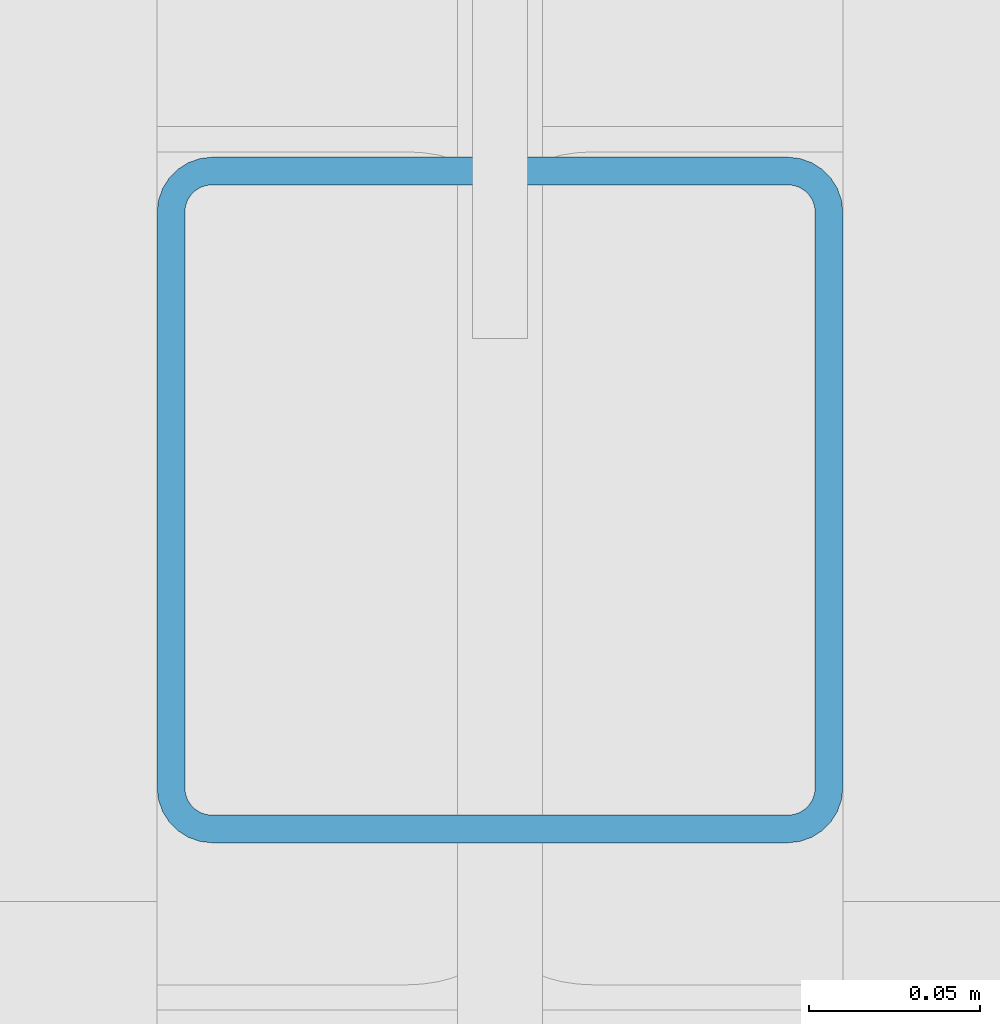
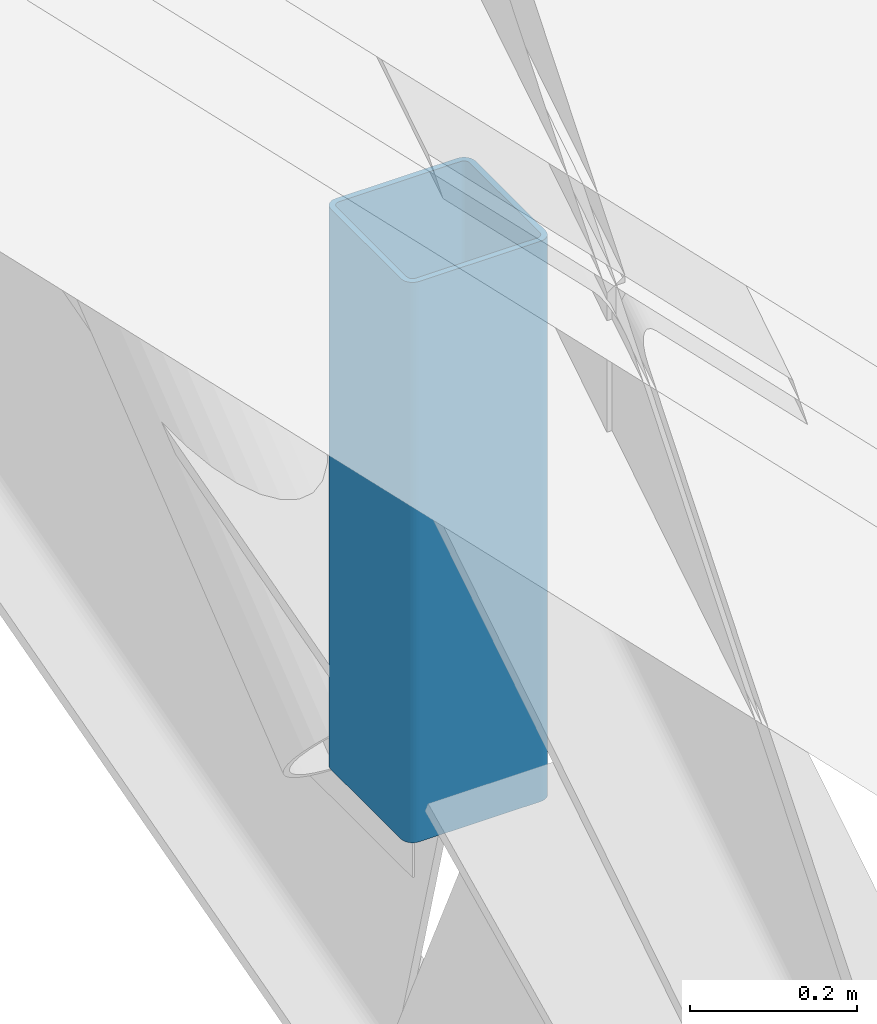
# One storey, part 22 of 66: 1 member.
"""IFC4 building model written with IfcOpenShell, lengths in metres."""

from ifc_helpers import new_model, si_unit, direction, frame, origin, origin_2d, place, context, subcontext, project, spatial, hollow_rectangle, extrude, material, material_profile, profile_set, type_object, element, save


model = new_model("IFC4")

# Units and contexts
model_context = context("Model", 3, precision=1e-05, world=origin(), true_north=direction((0.0, 1.0)))
body_context = subcontext(model_context, "Body", "Model", "MODEL_VIEW")
ifc_project = project(units=[si_unit("LENGTHUNIT", "METRE"), si_unit("AREAUNIT", "SQUARE_METRE"), si_unit("VOLUMEUNIT", "CUBIC_METRE"), si_unit("PLANEANGLEUNIT", "RADIAN"), si_unit("MASSUNIT", "GRAM", prefix="KILO")], contexts=[model_context])

# Site, building, storey
site_placement = place(None, origin())
site = spatial("IfcSite", under=ifc_project, at=site_placement, CompositionType="ELEMENT")
building_placement = place(site_placement, origin())
building = spatial("IfcBuilding", under=site, at=building_placement, Name="Yeouljin Market Hall", CompositionType="ELEMENT")
storey_placement = place(building_placement, frame((0.0, 0.0, 23.39990234375)))
storey = spatial("IfcBuildingStorey", under=building, at=storey_placement, Name="RF", CompositionType="ELEMENT", Elevation=23.39990234375)

# Member
ifc_material = material(Name="Steel SM355", Category="steel")
ifc_material_profile = material_profile(ifc_material, hollow_rectangle(XDim=0.199951171875, YDim=0.199951171875, WallThickness=0.008056640625, InnerFilletRadius=0.008056640625, OuterFilletRadius=0.01611328125, at=origin_2d()), Name="SHS-200x200x8")
ifc_profile_set = profile_set([ifc_material_profile], Name="Steel SM355")
member_type = type_object("IfcMemberType", Name="Strut_SHS-200x200x8", PredefinedType="STRUT", material=ifc_profile_set)
member_placement = place(storey_placement, frame((121.800048828125, 43.0, -8.897705078125), z_axis=(0.0, 0.0, 1.0), x_axis=(1.0, 0.0, 0.0)))
element("IfcMember", 1, at=member_placement, inside=storey, type_object=member_type, Name="Truss AT-10 vertical strut 1", PredefinedType="STRUT", context=body_context, shape_type="SweptSolid", body=[
    extrude(hollow_rectangle(XDim=0.199951171875, YDim=0.199951171875, WallThickness=0.008056640625, InnerFilletRadius=0.008056640625, OuterFilletRadius=0.01611328125, at=origin_2d()), origin(), (0.0, 0.0, 1.0), 0.81787109375),
])

save(model, "model.ifc")
